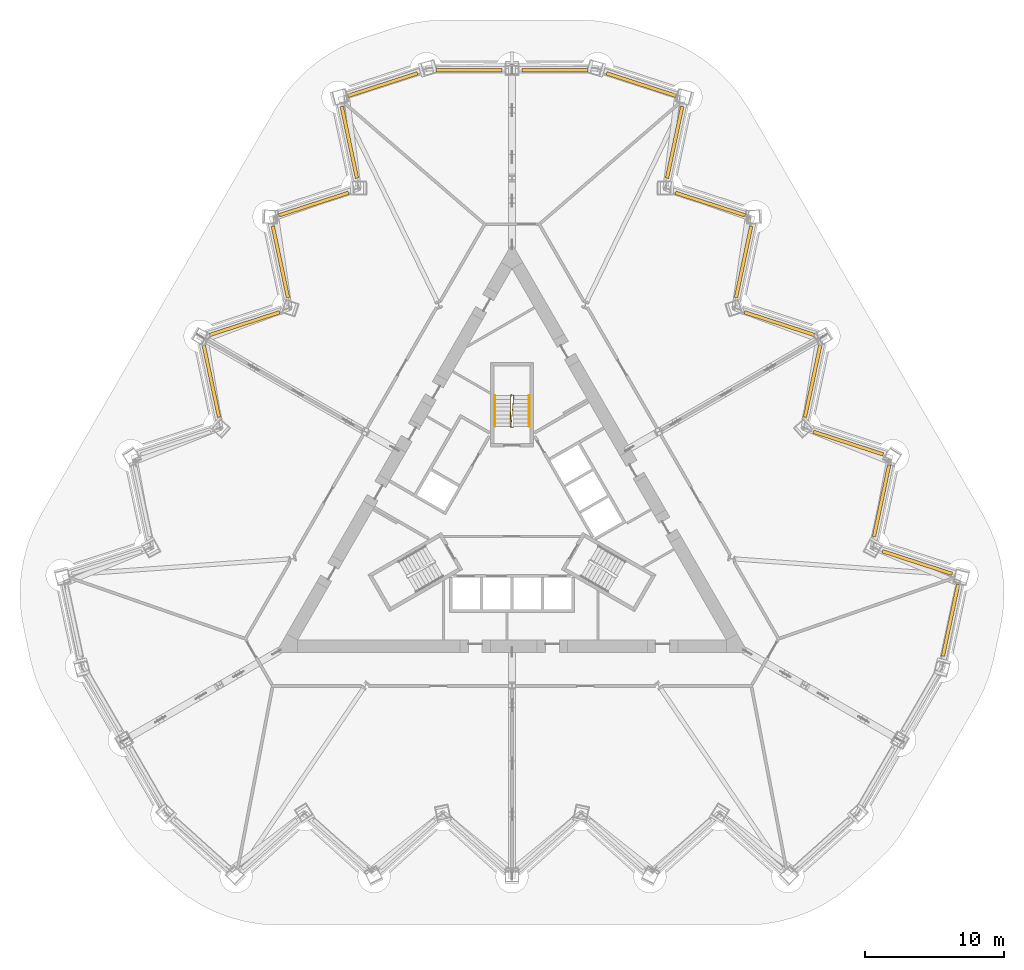
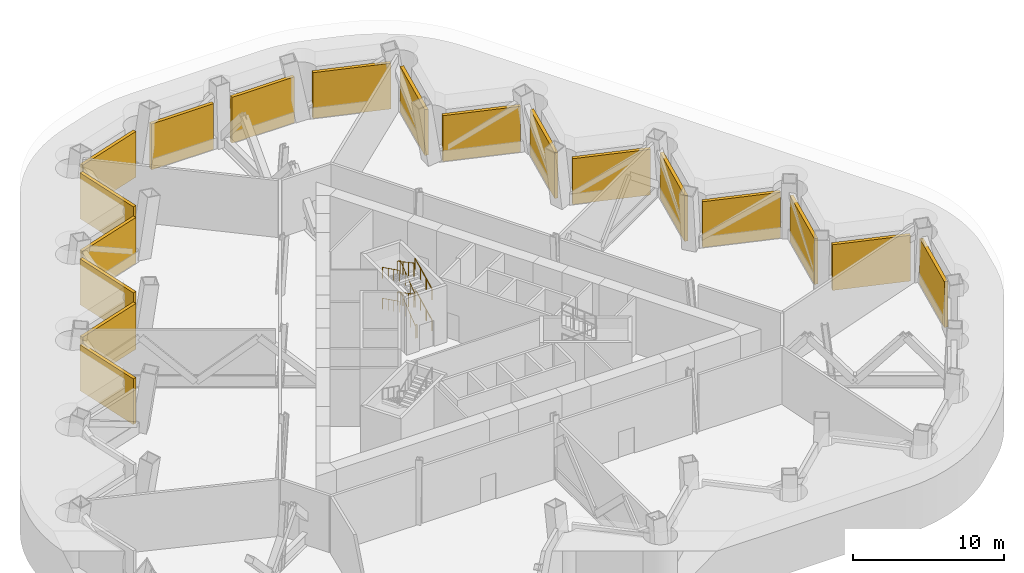
# One storey, part 14 of 14: 18 shading devices, 5 railings.
"""IFC4 building model written with IfcOpenShell, lengths in metres."""

from ifc_helpers import new_model, si_unit, direction, frame, origin, origin_2d, place, context, subcontext, project, spatial, rectangle, circle, extrude, material, layer, layer_set, type_object, element, save


model = new_model("IFC4")

# Units and contexts
model_context = context("Model", 3, precision=1e-05, world=origin(), true_north=direction((0.0, 1.0)))
body_context = subcontext(model_context, "Body", "Model", "MODEL_VIEW")
ifc_project = project(units=[si_unit("LENGTHUNIT", "METRE"), si_unit("AREAUNIT", "SQUARE_METRE"), si_unit("VOLUMEUNIT", "CUBIC_METRE"), si_unit("PLANEANGLEUNIT", "RADIAN"), si_unit("MASSUNIT", "GRAM", prefix="KILO")], contexts=[model_context])

# Site, building, storey
site_placement = place(None, origin())
site = spatial("IfcSite", under=ifc_project, at=site_placement, CompositionType="ELEMENT")
building_placement = place(site_placement, origin())
building = spatial("IfcBuilding", under=site, at=building_placement, Name="Cormorant Prow Tower", CompositionType="ELEMENT")
storey_placement = place(building_placement, frame((0.0, 0.0, 94.60009765625)))
storey = spatial("IfcBuildingStorey", under=building, at=storey_placement, Name="L19", CompositionType="ELEMENT", Elevation=94.60009765625)

# Shading devices
ifc_material_1 = material(Name="Aluminium 6063-T6", Category="aluminium")
ifc_layer_1 = layer(ifc_material_1, 0.25)
ifc_layer_set_1 = layer_set([ifc_layer_1], Name="Aluminium 6063-T6")
shading_device_type_1 = type_object("IfcShadingDeviceType", Name="Plant storey louvre panel 4764x250x3700", PredefinedType="USERDEFINED", material=ifc_layer_set_1)
for number, where, z_axis, x_axis, name in (
    (1, (3.084716796875, 32.108642578125, 0.0), (0.0, 0.0, 1.0), (-1.0, 0.0, 0.0), "Plant storey louvre N00"),
    (2, (-3.084716796875, 32.108642578125, 0.0), (0.0, 0.0, 1.0), (-1.0, 0.0, 0.0), "Plant storey louvre N01"),
):
    element("IfcShadingDevice", number, at=place(storey_placement, frame(where, z_axis=z_axis, x_axis=x_axis)), inside=storey, type_object=shading_device_type_1, Name=name, ObjectType="LOUVRE", PredefinedType="USERDEFINED", context=body_context, shape_type="SweptSolid", body=[
        extrude(rectangle(XDim=4.763671875, YDim=0.25, at=origin_2d()), origin(), (0.0, 0.0, 1.0), 3.699951171875),
    ])
ifc_material_2 = material(Name="Aluminium 6063-T6", Category="aluminium")
ifc_layer_2 = layer(ifc_material_2, 0.25)
ifc_layer_set_2 = layer_set([ifc_layer_2], Name="Aluminium 6063-T6")
shading_device_type_2 = type_object("IfcShadingDeviceType", Name="Plant storey louvre panel 5277x250x3700", PredefinedType="USERDEFINED", material=ifc_layer_set_2)
for number, where, z_axis, x_axis, name in (
    (3, (31.572509765625, -7.4794921875, 0.0), (0.0, 0.0, 1.0), (0.207911740719, 0.978147590127, 0.0), "Plant storey louvre ENE00"),
    (4, (29.173095703125, -3.32373046875, 0.0), (0.0, 0.0, 1.0), (-0.951056529897, 0.309016952512, 0.0), "Plant storey louvre ENE01"),
    (5, (26.6064453125, 1.1220703125, 0.0), (0.0, 0.0, 1.0), (0.207911740719, 0.978147590127, 0.0), "Plant storey louvre ENE02"),
    (6, (24.20703125, 5.27783203125, 0.0), (0.0, 0.0, 1.0), (-0.951056529897, 0.309016952512, 0.0), "Plant storey louvre ENE03"),
    (7, (21.640380859375, 9.723388671875, 0.0), (0.0, 0.0, 1.0), (0.207911597554, 0.978147620558, 0.0), "Plant storey louvre ENE04"),
    (8, (19.240966796875, 13.87939453125, 0.0), (0.0, 0.0, 1.0), (-0.951056471627, 0.309017131848, 0.0), "Plant storey louvre ENE05"),
    (9, (16.67431640625, 18.324951171875, 0.0), (0.0, 0.0, 1.0), (0.207911597554, 0.978147620558, 0.0), "Plant storey louvre ENE06"),
    (10, (14.27490234375, 22.480712890625, 0.0), (0.0, 0.0, 1.0), (-0.95105651561, 0.309016996483, 0.0), "Plant storey louvre ENE07"),
    (11, (11.708251953125, 26.926513671875, 0.0), (0.0, 0.0, 1.0), (0.207911597554, 0.978147620558, 0.0), "Plant storey louvre ENE08"),
    (12, (9.308837890625, 31.082275390625, 0.0), (0.0, 0.0, 1.0), (-0.951056529897, 0.309016952512, 0.0), "Plant storey louvre ENE09"),
    (13, (-9.308837890625, 31.082275390625, 0.0), (0.0, 0.0, 1.0), (-0.951056529897, -0.309016952512, 0.0), "Plant storey louvre WNW00"),
    (14, (-11.708251953125, 26.926513671875, 0.0), (0.0, 0.0, 1.0), (0.207911597554, -0.978147620558, 0.0), "Plant storey louvre WNW01"),
    (15, (-14.27490234375, 22.480712890625, 0.0), (0.0, 0.0, 1.0), (-0.95105651561, -0.309016996483, 0.0), "Plant storey louvre WNW02"),
    (16, (-16.67431640625, 18.324951171875, 0.0), (0.0, 0.0, 1.0), (0.207911597554, -0.978147620558, 0.0), "Plant storey louvre WNW03"),
    (17, (-19.240966796875, 13.87939453125, 0.0), (0.0, 0.0, 1.0), (-0.951056471627, -0.309017131848, 0.0), "Plant storey louvre WNW04"),
    (18, (-21.640380859375, 9.723388671875, 0.0), (0.0, 0.0, 1.0), (0.207911597554, -0.978147620558, 0.0), "Plant storey louvre WNW05"),
):
    element("IfcShadingDevice", number, at=place(storey_placement, frame(where, z_axis=z_axis, x_axis=x_axis)), inside=storey, type_object=shading_device_type_2, Name=name, ObjectType="LOUVRE", PredefinedType="USERDEFINED", context=body_context, shape_type="SweptSolid", body=[
        extrude(rectangle(XDim=5.276611328125, YDim=0.25, at=origin_2d()), origin(), (0.0, 0.0, 1.0), 3.699951171875),
    ])

# Railings
ifc_material_3 = material(Name="Stainless steel", Category="steel")
railing_type_1 = type_object("IfcRailingType", Name="Stair guard 1100", PredefinedType="GUARDRAIL", material=ifc_material_3)
railing_1_placement = place(storey_placement, frame((0.074951171875, 6.40576171875, 0.0)))
element("IfcRailing", 19, at=railing_1_placement, inside=storey, type_object=railing_type_1, Name="L19 ST3 stair guard 1", PredefinedType="GUARDRAIL", context=body_context, shape_type="SweptSolid", body=[
    extrude(circle(Radius=0.02392578125, at=origin_2d()), frame((0.0, 0.0, 1.076171875), z_axis=(-1.0, 0.0, 0.0), x_axis=(0.0, -1.0, 0.0)), (0.0, 0.0, 1.0), 0.14990234375),
    extrude(circle(Radius=0.02392578125, at=origin_2d()), frame((-0.14990234375, 0.0, 1.076171875), z_axis=(0.07641549331, 0.87518599176, 0.477713462453), x_axis=(-0.996209839609, 0.086982500921, 0.0)), (0.0, 0.0, 1.0), 2.61669921875),
    extrude(circle(Radius=0.02392578125, at=origin_2d()), frame((0.050048828125, 2.2900390625, 2.326171875), z_axis=(-0.970072785993, 0.242814311512, 0.0), x_axis=(-0.242814311512, -0.970072785993, 0.0)), (0.0, 0.0, 1.0), 0.2060546875),
    extrude(circle(Radius=0.02392578125, at=origin_2d()), frame((-0.14990234375, 2.340087890625, 2.326171875), z_axis=(-0.019179761202, -0.877591024776, 0.479026231008), x_axis=(0.999761264773, -0.0218497931, 0.0)), (0.0, 0.0, 1.0), 2.609375),
    extrude(circle(Radius=0.02392578125, at=origin_2d()), frame((-0.199951171875, 0.050048828125, 3.576171875), z_axis=(0.707106781187, -0.707106781187, 0.0), x_axis=(0.707106781187, 0.707106781187, 0.0)), (0.0, 0.0, 1.0), 0.07080078125),
    extrude(circle(Radius=0.02392578125, at=origin_2d()), frame((-0.14990234375, 0.0, 3.576171875), z_axis=(0.07641549331, 0.87518599176, 0.477713462453), x_axis=(-0.996209839609, 0.086982500921, 0.0)), (0.0, 0.0, 1.0), 2.61669921875),
    extrude(circle(Radius=0.02392578125, at=origin_2d()), frame((0.050048828125, 2.2900390625, 4.826171875), z_axis=(-0.970072785993, 0.242814311512, 0.0), x_axis=(-0.242814311512, -0.970072785993, 0.0)), (0.0, 0.0, 1.0), 0.2060546875),
    extrude(circle(Radius=0.02392578125, at=origin_2d()), frame((-0.14990234375, 2.340087890625, 4.826171875), z_axis=(-0.019179761202, -0.877591024776, 0.479026231008), x_axis=(0.999761264773, -0.0218497931, 0.0)), (0.0, 0.0, 1.0), 2.609375),
    extrude(circle(Radius=0.02099609375, at=origin_2d()), origin(), (0.0, 0.0, 1.0), 1.052001953125),
    extrude(circle(Radius=0.02099609375, at=origin_2d()), frame((-0.14990234375, 0.0, 0.0)), (0.0, 0.0, 1.0), 1.052001953125),
    extrude(circle(Radius=0.02099609375, at=origin_2d()), frame((-0.083251953125, 0.763427734375, 0.416748046875)), (0.0, 0.0, 1.0), 1.052001953125),
    extrude(circle(Radius=0.02099609375, at=origin_2d()), frame((-0.0166015625, 1.526611328125, 0.833251953125)), (0.0, 0.0, 1.0), 1.052001953125),
    extrude(circle(Radius=0.02099609375, at=origin_2d()), frame((0.050048828125, 2.2900390625, 1.25)), (0.0, 0.0, 1.0), 1.052001953125),
    extrude(circle(Radius=0.02099609375, at=origin_2d()), frame((-0.14990234375, 2.340087890625, 1.25)), (0.0, 0.0, 1.0), 1.052001953125),
    extrude(circle(Radius=0.02099609375, at=origin_2d()), frame((-0.16650390625, 1.57666015625, 1.666748046875)), (0.0, 0.0, 1.0), 1.052001953125),
    extrude(circle(Radius=0.02099609375, at=origin_2d()), frame((-0.183349609375, 0.8134765625, 2.083251953125)), (0.0, 0.0, 1.0), 1.052001953125),
    extrude(circle(Radius=0.02099609375, at=origin_2d()), frame((-0.199951171875, 0.050048828125, 2.5)), (0.0, 0.0, 1.0), 1.052001953125),
    extrude(circle(Radius=0.02099609375, at=origin_2d()), frame((-0.14990234375, 0.0, 2.5)), (0.0, 0.0, 1.0), 1.052001953125),
    extrude(circle(Radius=0.02099609375, at=origin_2d()), frame((-0.083251953125, 0.763427734375, 2.916748046875)), (0.0, 0.0, 1.0), 1.052001953125),
    extrude(circle(Radius=0.02099609375, at=origin_2d()), frame((-0.0166015625, 1.526611328125, 3.333251953125)), (0.0, 0.0, 1.0), 1.052001953125),
    extrude(circle(Radius=0.02099609375, at=origin_2d()), frame((0.050048828125, 2.2900390625, 3.75)), (0.0, 0.0, 1.0), 1.052001953125),
    extrude(circle(Radius=0.02099609375, at=origin_2d()), frame((-0.14990234375, 2.340087890625, 3.75)), (0.0, 0.0, 1.0), 1.052001953125),
    extrude(circle(Radius=0.02099609375, at=origin_2d()), frame((-0.16650390625, 1.57666015625, 4.166748046875)), (0.0, 0.0, 1.0), 1.052001953125),
    extrude(circle(Radius=0.02099609375, at=origin_2d()), frame((-0.183349609375, 0.8134765625, 4.583251953125)), (0.0, 0.0, 1.0), 1.052001953125),
    extrude(circle(Radius=0.02099609375, at=origin_2d()), frame((-0.199951171875, 0.050048828125, 5.0)), (0.0, 0.0, 1.0), 1.052001953125),
])
ifc_material_4 = material(Name="Stainless steel", Category="steel")
railing_type_2 = type_object("IfcRailingType", Name="Stair handrail 900", PredefinedType="HANDRAIL", material=ifc_material_4)
railing_2_placement = place(storey_placement, frame((1.243896484375, 6.455810546875, 0.138671875)))
element("IfcRailing", 20, at=railing_2_placement, inside=storey, type_object=railing_type_2, Name="L19 ST3 stair handrail 1", PredefinedType="HANDRAIL", context=body_context, shape_type="SweptSolid", body=[
    extrude(circle(Radius=0.02392578125, at=origin_2d()), frame((0.0, 0.0, 0.8759765625), z_axis=(0.0, 0.895809322535, 0.44443858705), x_axis=(-1.0, 0.0, 0.0)), (0.0, 0.0, 1.0), 2.50048828125),
    extrude(circle(Radius=0.02099609375, at=origin_2d()), origin(), (0.0, 0.0, 1.0), 0.851806640625),
    extrude(circle(Radius=0.02099609375, at=origin_2d()), frame((0.0, 0.74658203125, 0.370361328125)), (0.0, 0.0, 1.0), 0.851806640625),
    extrude(circle(Radius=0.02099609375, at=origin_2d()), frame((0.0, 1.493408203125, 0.740966796875)), (0.0, 0.0, 1.0), 0.851806640625),
    extrude(circle(Radius=0.02099609375, at=origin_2d()), frame((0.0, 2.239990234375, 1.111328125)), (0.0, 0.0, 1.0), 0.851806640625),
])
railing_3_placement = place(storey_placement, frame((-1.243896484375, 8.69580078125, 1.388671875)))
element("IfcRailing", 21, at=railing_3_placement, inside=storey, type_object=railing_type_2, Name="L19 ST3 stair handrail 2", PredefinedType="HANDRAIL", context=body_context, shape_type="SweptSolid", body=[
    extrude(circle(Radius=0.02392578125, at=origin_2d()), frame((0.0, 0.0, 0.8759765625), z_axis=(0.0, -0.895809322535, 0.44443858705), x_axis=(1.0, 0.0, 0.0)), (0.0, 0.0, 1.0), 2.50048828125),
    extrude(circle(Radius=0.02099609375, at=origin_2d()), origin(), (0.0, 0.0, 1.0), 0.851806640625),
    extrude(circle(Radius=0.02099609375, at=origin_2d()), frame((0.0, -0.74658203125, 0.370361328125)), (0.0, 0.0, 1.0), 0.851806640625),
    extrude(circle(Radius=0.02099609375, at=origin_2d()), frame((0.0, -1.493408203125, 0.740966796875)), (0.0, 0.0, 1.0), 0.851806640625),
    extrude(circle(Radius=0.02099609375, at=origin_2d()), frame((0.0, -2.239990234375, 1.111328125)), (0.0, 0.0, 1.0), 0.851806640625),
])
railing_4_placement = place(storey_placement, frame((1.243896484375, 6.455810546875, 2.638671875)))
element("IfcRailing", 22, at=railing_4_placement, inside=storey, type_object=railing_type_2, Name="L19 ST3 stair handrail 3", PredefinedType="HANDRAIL", context=body_context, shape_type="SweptSolid", body=[
    extrude(circle(Radius=0.02392578125, at=origin_2d()), frame((0.0, 0.0, 0.8759765625), z_axis=(0.0, 0.895809322535, 0.44443858705), x_axis=(-1.0, 0.0, 0.0)), (0.0, 0.0, 1.0), 2.50048828125),
    extrude(circle(Radius=0.02099609375, at=origin_2d()), origin(), (0.0, 0.0, 1.0), 0.851806640625),
    extrude(circle(Radius=0.02099609375, at=origin_2d()), frame((0.0, 0.74658203125, 0.370361328125)), (0.0, 0.0, 1.0), 0.851806640625),
    extrude(circle(Radius=0.02099609375, at=origin_2d()), frame((0.0, 1.493408203125, 0.740966796875)), (0.0, 0.0, 1.0), 0.851806640625),
    extrude(circle(Radius=0.02099609375, at=origin_2d()), frame((0.0, 2.239990234375, 1.111328125)), (0.0, 0.0, 1.0), 0.851806640625),
])
railing_5_placement = place(storey_placement, frame((-1.243896484375, 8.69580078125, 3.888671875)))
element("IfcRailing", 23, at=railing_5_placement, inside=storey, type_object=railing_type_2, Name="L19 ST3 stair handrail 4", PredefinedType="HANDRAIL", context=body_context, shape_type="SweptSolid", body=[
    extrude(circle(Radius=0.02392578125, at=origin_2d()), frame((0.0, 0.0, 0.8759765625), z_axis=(0.0, -0.895809322535, 0.44443858705), x_axis=(1.0, 0.0, 0.0)), (0.0, 0.0, 1.0), 2.50048828125),
    extrude(circle(Radius=0.02099609375, at=origin_2d()), origin(), (0.0, 0.0, 1.0), 0.851806640625),
    extrude(circle(Radius=0.02099609375, at=origin_2d()), frame((0.0, -0.74658203125, 0.370361328125)), (0.0, 0.0, 1.0), 0.851806640625),
    extrude(circle(Radius=0.02099609375, at=origin_2d()), frame((0.0, -1.493408203125, 0.740966796875)), (0.0, 0.0, 1.0), 0.851806640625),
    extrude(circle(Radius=0.02099609375, at=origin_2d()), frame((0.0, -2.239990234375, 1.111328125)), (0.0, 0.0, 1.0), 0.851806640625),
])

save(model, "model.ifc")
